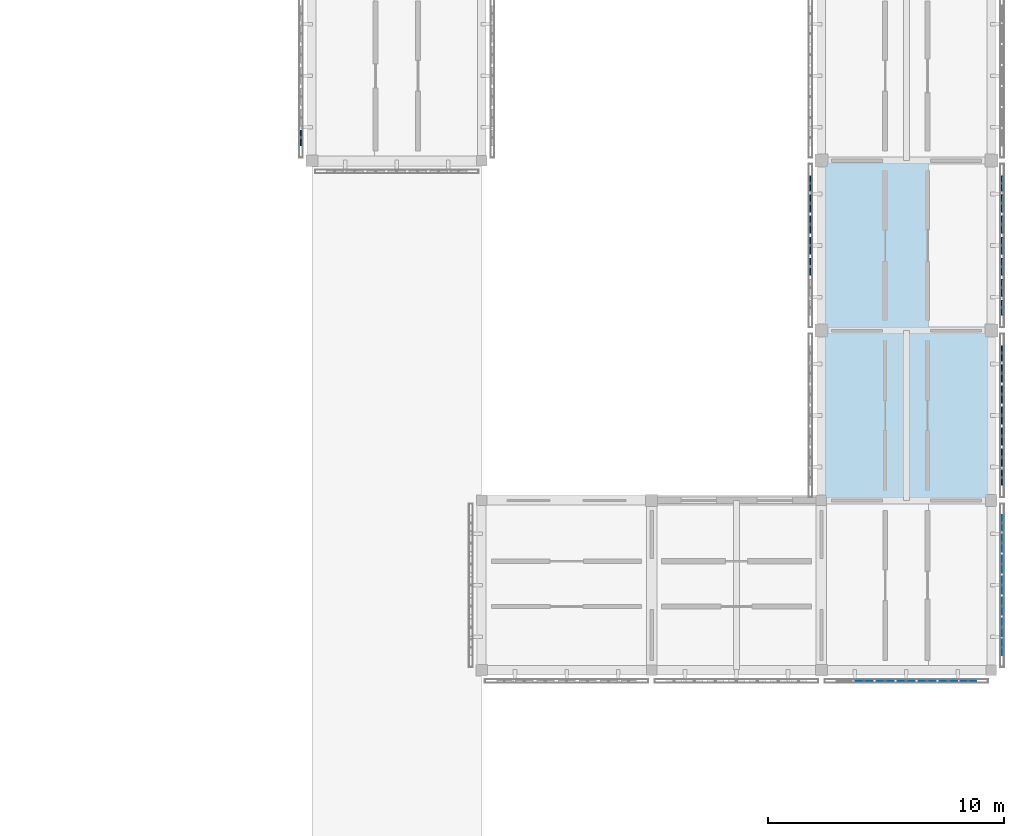
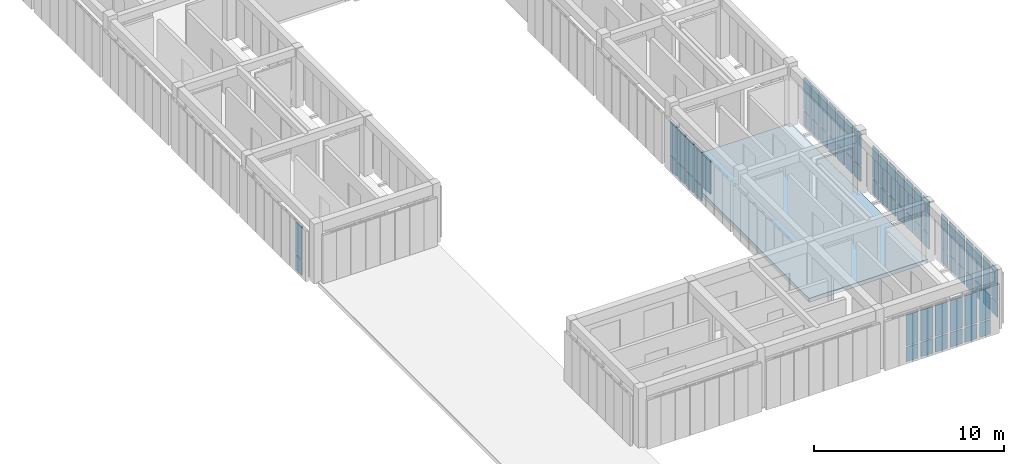
# One storey, part 46 of 67: 65 plates, 1 slab, 6 elements without a shape of their own.
"""IFC4 building model written with IfcOpenShell, lengths in metres."""

from ifc_helpers import new_model, si_unit, direction, frame, origin, origin_2d, place, context, subcontext, project, spatial, polyline, rectangle, outline, extrude, material, layer, layer_set, type_object, element, aggregate, save


model = new_model("IFC4")

# Units and contexts
model_context = context("Model", 3, precision=1e-05, world=origin(), true_north=direction((0.0, 1.0)))
body_context = subcontext(model_context, "Body", "Model", "MODEL_VIEW")
ifc_project = project(units=[si_unit("LENGTHUNIT", "METRE"), si_unit("AREAUNIT", "SQUARE_METRE"), si_unit("VOLUMEUNIT", "CUBIC_METRE"), si_unit("PLANEANGLEUNIT", "RADIAN"), si_unit("MASSUNIT", "GRAM", prefix="KILO")], contexts=[model_context])

# Site, building, storey
site_placement = place(None, origin())
site = spatial("IfcSite", under=ifc_project, at=site_placement, CompositionType="ELEMENT")
building_placement = place(site_placement, origin())
building = spatial("IfcBuilding", under=site, at=building_placement, Name="Aldebral Square Health Centre", CompositionType="ELEMENT")
storey_placement = place(building_placement, frame((0.0, 0.0, 13.5)))
storey = spatial("IfcBuildingStorey", under=building, at=storey_placement, Name="L03", CompositionType="ELEMENT", Elevation=13.5)

# Curtain wall, plates
ifc_material_1 = material(Name="Aluminium and low-E solar glass", Category="aluminium")
curtain_wall_type = type_object("IfcCurtainWallType", Name="CW-FIN-SYS", PredefinedType="USERDEFINED", material=ifc_material_1)
curtain_wall_1_placement = place(storey_placement, origin())
curtain_wall_1 = element("IfcCurtainWall", 1, at=curtain_wall_1_placement, inside=storey, type_object=curtain_wall_type, Name="L03 V5 finned curtain wall L03-V5-22-08-S", ObjectType="SOLAR_CURTAIN_WALL", PredefinedType="USERDEFINED")
ifc_material_2 = material(Name="Solar-control low-E double glass", Category="glass")
ifc_layer_1 = layer(ifc_material_2, 0.030029296875, Name="Solar-control low-E double glass", Category="glass")
ifc_layer_set_1 = layer_set([ifc_layer_1], Name="Solar-control low-E double glass")
plate_type_1 = type_object("IfcPlateType", Name="CWP-GLZ-2", PredefinedType="CURTAIN_PANEL", material=ifc_layer_set_1)
plate_1_placement = place(storey_placement, frame((160.217041015625, 57.139892578125, 0.074951171875), z_axis=(0.0, 0.0, 1.0), x_axis=(1.0, 0.0, 0.0)))
plate_1 = element("IfcPlate", 2, at=plate_1_placement, type_object=plate_type_1, Name="CW1 panel 2.1", PredefinedType="CURTAIN_PANEL", context=body_context, shape_type="SweptSolid", body=[
    extrude(rectangle(XDim=0.7314453125, YDim=0.030029296875, at=origin_2d()), origin(), (0.0, 0.0, 1.0), 0.9375),
])
plate_2_placement = place(storey_placement, frame((160.217041015625, 57.139892578125, 1.08740234375), z_axis=(0.0, 0.0, 1.0), x_axis=(1.0, 0.0, 0.0)))
plate_2 = element("IfcPlate", 3, at=plate_2_placement, type_object=plate_type_1, Name="CW1 panel 2.2", PredefinedType="CURTAIN_PANEL", context=body_context, shape_type="SweptSolid", body=[
    extrude(rectangle(XDim=0.7314453125, YDim=0.030029296875, at=origin_2d()), origin(), (0.0, 0.0, 1.0), 1.9775390625),
])
plate_3_placement = place(storey_placement, frame((161.108642578125, 57.139892578125, 0.074951171875), z_axis=(0.0, 0.0, 1.0), x_axis=(1.0, 0.0, 0.0)))
plate_3 = element("IfcPlate", 4, at=plate_3_placement, type_object=plate_type_1, Name="CW1 panel 3.1", PredefinedType="CURTAIN_PANEL", context=body_context, shape_type="SweptSolid", body=[
    extrude(rectangle(XDim=0.7314453125, YDim=0.030029296875, at=origin_2d()), origin(), (0.0, 0.0, 1.0), 0.9375),
])
plate_4_placement = place(storey_placement, frame((161.108642578125, 57.139892578125, 1.08740234375), z_axis=(0.0, 0.0, 1.0), x_axis=(1.0, 0.0, 0.0)))
plate_4 = element("IfcPlate", 5, at=plate_4_placement, type_object=plate_type_1, Name="CW1 panel 3.2", PredefinedType="CURTAIN_PANEL", context=body_context, shape_type="SweptSolid", body=[
    extrude(rectangle(XDim=0.7314453125, YDim=0.030029296875, at=origin_2d()), origin(), (0.0, 0.0, 1.0), 1.9775390625),
])
plate_5_placement = place(storey_placement, frame((162.0, 57.139892578125, 0.074951171875), z_axis=(0.0, 0.0, 1.0), x_axis=(1.0, 0.0, 0.0)))
plate_5 = element("IfcPlate", 6, at=plate_5_placement, type_object=plate_type_1, Name="CW1 panel 4.1", PredefinedType="CURTAIN_PANEL", context=body_context, shape_type="SweptSolid", body=[
    extrude(rectangle(XDim=0.7314453125, YDim=0.030029296875, at=origin_2d()), origin(), (0.0, 0.0, 1.0), 0.9375),
])
plate_6_placement = place(storey_placement, frame((162.0, 57.139892578125, 1.08740234375), z_axis=(0.0, 0.0, 1.0), x_axis=(1.0, 0.0, 0.0)))
plate_6 = element("IfcPlate", 7, at=plate_6_placement, type_object=plate_type_1, Name="CW1 panel 4.2", PredefinedType="CURTAIN_PANEL", context=body_context, shape_type="SweptSolid", body=[
    extrude(rectangle(XDim=0.7314453125, YDim=0.030029296875, at=origin_2d()), origin(), (0.0, 0.0, 1.0), 1.9775390625),
])
plate_7_placement = place(storey_placement, frame((162.891357421875, 57.139892578125, 0.074951171875), z_axis=(0.0, 0.0, 1.0), x_axis=(1.0, 0.0, 0.0)))
plate_7 = element("IfcPlate", 8, at=plate_7_placement, type_object=plate_type_1, Name="CW1 panel 5.1", PredefinedType="CURTAIN_PANEL", context=body_context, shape_type="SweptSolid", body=[
    extrude(rectangle(XDim=0.7314453125, YDim=0.030029296875, at=origin_2d()), origin(), (0.0, 0.0, 1.0), 0.9375),
])
plate_8_placement = place(storey_placement, frame((162.891357421875, 57.139892578125, 1.08740234375), z_axis=(0.0, 0.0, 1.0), x_axis=(1.0, 0.0, 0.0)))
plate_8 = element("IfcPlate", 9, at=plate_8_placement, type_object=plate_type_1, Name="CW1 panel 5.2", PredefinedType="CURTAIN_PANEL", context=body_context, shape_type="SweptSolid", body=[
    extrude(rectangle(XDim=0.7314453125, YDim=0.030029296875, at=origin_2d()), origin(), (0.0, 0.0, 1.0), 1.9775390625),
])
plate_9_placement = place(storey_placement, frame((163.782958984375, 57.139892578125, 0.074951171875), z_axis=(0.0, 0.0, 1.0), x_axis=(1.0, 0.0, 0.0)))
plate_9 = element("IfcPlate", 10, at=plate_9_placement, type_object=plate_type_1, Name="CW1 panel 6.1", PredefinedType="CURTAIN_PANEL", context=body_context, shape_type="SweptSolid", body=[
    extrude(rectangle(XDim=0.7314453125, YDim=0.030029296875, at=origin_2d()), origin(), (0.0, 0.0, 1.0), 0.9375),
])
plate_10_placement = place(storey_placement, frame((163.782958984375, 57.139892578125, 1.08740234375), z_axis=(0.0, 0.0, 1.0), x_axis=(1.0, 0.0, 0.0)))
plate_10 = element("IfcPlate", 11, at=plate_10_placement, type_object=plate_type_1, Name="CW1 panel 6.2", PredefinedType="CURTAIN_PANEL", context=body_context, shape_type="SweptSolid", body=[
    extrude(rectangle(XDim=0.7314453125, YDim=0.030029296875, at=origin_2d()), origin(), (0.0, 0.0, 1.0), 1.9775390625),
])
plate_11_placement = place(storey_placement, frame((164.63427734375, 57.139892578125, 0.074951171875), z_axis=(0.0, 0.0, 1.0), x_axis=(1.0, 0.0, 0.0)))
plate_11 = element("IfcPlate", 12, at=plate_11_placement, type_object=plate_type_1, Name="CW1 panel 7.1", PredefinedType="CURTAIN_PANEL", context=body_context, shape_type="SweptSolid", body=[
    extrude(rectangle(XDim=0.6513671875, YDim=0.030029296875, at=origin_2d()), origin(), (0.0, 0.0, 1.0), 0.9375),
])
plate_12_placement = place(storey_placement, frame((164.63427734375, 57.139892578125, 1.08740234375), z_axis=(0.0, 0.0, 1.0), x_axis=(1.0, 0.0, 0.0)))
plate_12 = element("IfcPlate", 13, at=plate_12_placement, type_object=plate_type_1, Name="CW1 panel 7.2", PredefinedType="CURTAIN_PANEL", context=body_context, shape_type="SweptSolid", body=[
    extrude(rectangle(XDim=0.6513671875, YDim=0.030029296875, at=origin_2d()), origin(), (0.0, 0.0, 1.0), 1.9775390625),
])
aggregate(curtain_wall_1, [plate_1, plate_2, plate_3, plate_4, plate_5, plate_6, plate_7, plate_8, plate_9, plate_10, plate_11, plate_12])

curtain_wall_2_placement = place(storey_placement, origin())
curtain_wall_2 = element("IfcCurtainWall", 14, at=curtain_wall_2_placement, inside=storey, type_object=curtain_wall_type, Name="L03 V5 finned curtain wall L03-V5-22-08-E", ObjectType="SOLAR_CURTAIN_WALL", PredefinedType="USERDEFINED")
ifc_layer_2 = layer(ifc_material_2, 0.0400390625, Name="Solar-control low-E double glass", Category="glass")
ifc_layer_set_2 = layer_set([ifc_layer_2], Name="Solar-control low-E double glass")
plate_type_2 = type_object("IfcPlateType", Name="CWP-GLZ-3", PredefinedType="CURTAIN_PANEL", material=ifc_layer_set_2)
plate_13_placement = place(storey_placement, frame((166.06005859375, 58.565673828125, 0.074951171875), z_axis=(0.0, 0.0, 1.0), x_axis=(0.0, 1.0, 0.0)))
plate_13 = element("IfcPlate", 15, at=plate_13_placement, type_object=plate_type_2, Name="CW1 panel 1.1", PredefinedType="CURTAIN_PANEL", context=body_context, shape_type="SweptSolid", body=[
    extrude(rectangle(XDim=0.6513671875, YDim=0.0400390625, at=origin_2d()), origin(), (0.0, 0.0, 1.0), 0.9375),
])
plate_14_placement = place(storey_placement, frame((166.06005859375, 58.565673828125, 1.08740234375), z_axis=(0.0, 0.0, 1.0), x_axis=(0.0, 1.0, 0.0)))
plate_14 = element("IfcPlate", 16, at=plate_14_placement, type_object=plate_type_2, Name="CW1 panel 1.2", PredefinedType="CURTAIN_PANEL", context=body_context, shape_type="SweptSolid", body=[
    extrude(rectangle(XDim=0.6513671875, YDim=0.0400390625, at=origin_2d()), origin(), (0.0, 0.0, 1.0), 2.077392578125),
])
plate_15_placement = place(storey_placement, frame((166.06005859375, 59.417236328125, 0.074951171875), z_axis=(0.0, 0.0, 1.0), x_axis=(0.0, 1.0, 0.0)))
plate_15 = element("IfcPlate", 17, at=plate_15_placement, type_object=plate_type_2, Name="CW1 panel 2.1", PredefinedType="CURTAIN_PANEL", context=body_context, shape_type="SweptSolid", body=[
    extrude(rectangle(XDim=0.7314453125, YDim=0.0400390625, at=origin_2d()), origin(), (0.0, 0.0, 1.0), 0.9375),
])
plate_16_placement = place(storey_placement, frame((166.06005859375, 59.417236328125, 1.08740234375), z_axis=(0.0, 0.0, 1.0), x_axis=(0.0, 1.0, 0.0)))
plate_16 = element("IfcPlate", 18, at=plate_16_placement, type_object=plate_type_2, Name="CW1 panel 2.2", PredefinedType="CURTAIN_PANEL", context=body_context, shape_type="SweptSolid", body=[
    extrude(rectangle(XDim=0.7314453125, YDim=0.0400390625, at=origin_2d()), origin(), (0.0, 0.0, 1.0), 2.077392578125),
])
plate_17_placement = place(storey_placement, frame((166.06005859375, 60.30859375, 0.074951171875), z_axis=(0.0, 0.0, 1.0), x_axis=(0.0, 1.0, 0.0)))
plate_17 = element("IfcPlate", 19, at=plate_17_placement, type_object=plate_type_2, Name="CW1 panel 3.1", PredefinedType="CURTAIN_PANEL", context=body_context, shape_type="SweptSolid", body=[
    extrude(rectangle(XDim=0.7314453125, YDim=0.0400390625, at=origin_2d()), origin(), (0.0, 0.0, 1.0), 0.9375),
])
plate_18_placement = place(storey_placement, frame((166.06005859375, 60.30859375, 1.08740234375), z_axis=(0.0, 0.0, 1.0), x_axis=(0.0, 1.0, 0.0)))
plate_18 = element("IfcPlate", 20, at=plate_18_placement, type_object=plate_type_2, Name="CW1 panel 3.2", PredefinedType="CURTAIN_PANEL", context=body_context, shape_type="SweptSolid", body=[
    extrude(rectangle(XDim=0.7314453125, YDim=0.0400390625, at=origin_2d()), origin(), (0.0, 0.0, 1.0), 2.077392578125),
])
plate_19_placement = place(storey_placement, frame((166.06005859375, 61.199951171875, 0.074951171875), z_axis=(0.0, 0.0, 1.0), x_axis=(0.0, 1.0, 0.0)))
plate_19 = element("IfcPlate", 21, at=plate_19_placement, type_object=plate_type_2, Name="CW1 panel 4.1", PredefinedType="CURTAIN_PANEL", context=body_context, shape_type="SweptSolid", body=[
    extrude(rectangle(XDim=0.7314453125, YDim=0.0400390625, at=origin_2d()), origin(), (0.0, 0.0, 1.0), 0.9375),
])
plate_20_placement = place(storey_placement, frame((166.06005859375, 61.199951171875, 1.08740234375), z_axis=(0.0, 0.0, 1.0), x_axis=(0.0, 1.0, 0.0)))
plate_20 = element("IfcPlate", 22, at=plate_20_placement, type_object=plate_type_2, Name="CW1 panel 4.2", PredefinedType="CURTAIN_PANEL", context=body_context, shape_type="SweptSolid", body=[
    extrude(rectangle(XDim=0.7314453125, YDim=0.0400390625, at=origin_2d()), origin(), (0.0, 0.0, 1.0), 2.077392578125),
])
plate_21_placement = place(storey_placement, frame((166.06005859375, 62.09130859375, 0.074951171875), z_axis=(0.0, 0.0, 1.0), x_axis=(0.0, 1.0, 0.0)))
plate_21 = element("IfcPlate", 23, at=plate_21_placement, type_object=plate_type_2, Name="CW1 panel 5.1", PredefinedType="CURTAIN_PANEL", context=body_context, shape_type="SweptSolid", body=[
    extrude(rectangle(XDim=0.7314453125, YDim=0.0400390625, at=origin_2d()), origin(), (0.0, 0.0, 1.0), 0.9375),
])
plate_22_placement = place(storey_placement, frame((166.06005859375, 62.09130859375, 1.08740234375), z_axis=(0.0, 0.0, 1.0), x_axis=(0.0, 1.0, 0.0)))
plate_22 = element("IfcPlate", 24, at=plate_22_placement, type_object=plate_type_2, Name="CW1 panel 5.2", PredefinedType="CURTAIN_PANEL", context=body_context, shape_type="SweptSolid", body=[
    extrude(rectangle(XDim=0.7314453125, YDim=0.0400390625, at=origin_2d()), origin(), (0.0, 0.0, 1.0), 2.077392578125),
])
plate_23_placement = place(storey_placement, frame((166.06005859375, 62.98291015625, 0.074951171875), z_axis=(0.0, 0.0, 1.0), x_axis=(0.0, 1.0, 0.0)))
plate_23 = element("IfcPlate", 25, at=plate_23_placement, type_object=plate_type_2, Name="CW1 panel 6.1", PredefinedType="CURTAIN_PANEL", context=body_context, shape_type="SweptSolid", body=[
    extrude(rectangle(XDim=0.7314453125, YDim=0.0400390625, at=origin_2d()), origin(), (0.0, 0.0, 1.0), 0.9375),
])
plate_24_placement = place(storey_placement, frame((166.06005859375, 62.98291015625, 1.08740234375), z_axis=(0.0, 0.0, 1.0), x_axis=(0.0, 1.0, 0.0)))
plate_24 = element("IfcPlate", 26, at=plate_24_placement, type_object=plate_type_2, Name="CW1 panel 6.2", PredefinedType="CURTAIN_PANEL", context=body_context, shape_type="SweptSolid", body=[
    extrude(rectangle(XDim=0.7314453125, YDim=0.0400390625, at=origin_2d()), origin(), (0.0, 0.0, 1.0), 2.077392578125),
])
plate_25_placement = place(storey_placement, frame((166.06005859375, 63.834228515625, 0.074951171875), z_axis=(0.0, 0.0, 1.0), x_axis=(0.0, 1.0, 0.0)))
plate_25 = element("IfcPlate", 27, at=plate_25_placement, type_object=plate_type_2, Name="CW1 panel 7.1", PredefinedType="CURTAIN_PANEL", context=body_context, shape_type="SweptSolid", body=[
    extrude(rectangle(XDim=0.6513671875, YDim=0.0400390625, at=origin_2d()), origin(), (0.0, 0.0, 1.0), 0.9375),
])
plate_26_placement = place(storey_placement, frame((166.06005859375, 63.834228515625, 1.08740234375), z_axis=(0.0, 0.0, 1.0), x_axis=(0.0, 1.0, 0.0)))
plate_26 = element("IfcPlate", 28, at=plate_26_placement, type_object=plate_type_2, Name="CW1 panel 7.2", PredefinedType="CURTAIN_PANEL", context=body_context, shape_type="SweptSolid", body=[
    extrude(rectangle(XDim=0.6513671875, YDim=0.0400390625, at=origin_2d()), origin(), (0.0, 0.0, 1.0), 2.077392578125),
])
aggregate(curtain_wall_2, [plate_13, plate_14, plate_15, plate_16, plate_17, plate_18, plate_19, plate_20, plate_21, plate_22, plate_23, plate_24, plate_25, plate_26])

curtain_wall_3_placement = place(storey_placement, origin())
curtain_wall_3 = element("IfcCurtainWall", 29, at=curtain_wall_3_placement, inside=storey, type_object=curtain_wall_type, Name="L03 V5 finned curtain wall L03-V5-22-09-E", ObjectType="SOLAR_CURTAIN_WALL", PredefinedType="USERDEFINED")
ifc_layer_3 = layer(ifc_material_2, 0.06005859375, Name="Solar-control low-E double glass", Category="glass")
ifc_layer_set_3 = layer_set([ifc_layer_3], Name="Solar-control low-E double glass")
plate_type_3 = type_object("IfcPlateType", Name="CWP-GLZ-5", PredefinedType="CURTAIN_PANEL", material=ifc_layer_set_3)
plate_27_placement = place(storey_placement, frame((166.06005859375, 65.765625, 0.074951171875), z_axis=(0.0, 0.0, 1.0), x_axis=(0.0, 1.0, 0.0)))
plate_27 = element("IfcPlate", 30, at=plate_27_placement, type_object=plate_type_3, Name="CW1 panel 1.1", PredefinedType="CURTAIN_PANEL", context=body_context, shape_type="SweptSolid", body=[
    extrude(rectangle(XDim=0.6513671875, YDim=0.06005859375, at=origin_2d()), origin(), (0.0, 0.0, 1.0), 0.9375),
])
plate_28_placement = place(storey_placement, frame((166.06005859375, 65.765625, 1.08740234375), z_axis=(0.0, 0.0, 1.0), x_axis=(0.0, 1.0, 0.0)))
plate_28 = element("IfcPlate", 31, at=plate_28_placement, type_object=plate_type_3, Name="CW1 panel 1.2", PredefinedType="CURTAIN_PANEL", context=body_context, shape_type="SweptSolid", body=[
    extrude(rectangle(XDim=0.6513671875, YDim=0.06005859375, at=origin_2d()), origin(), (0.0, 0.0, 1.0), 2.077392578125),
])
plate_29_placement = place(storey_placement, frame((166.06005859375, 66.6171875, 0.074951171875), z_axis=(0.0, 0.0, 1.0), x_axis=(0.0, 1.0, 0.0)))
plate_29 = element("IfcPlate", 32, at=plate_29_placement, type_object=plate_type_3, Name="CW1 panel 2.1", PredefinedType="CURTAIN_PANEL", context=body_context, shape_type="SweptSolid", body=[
    extrude(rectangle(XDim=0.7314453125, YDim=0.06005859375, at=origin_2d()), origin(), (0.0, 0.0, 1.0), 0.9375),
])
plate_30_placement = place(storey_placement, frame((166.06005859375, 66.6171875, 1.08740234375), z_axis=(0.0, 0.0, 1.0), x_axis=(0.0, 1.0, 0.0)))
plate_30 = element("IfcPlate", 33, at=plate_30_placement, type_object=plate_type_3, Name="CW1 panel 2.2", PredefinedType="CURTAIN_PANEL", context=body_context, shape_type="SweptSolid", body=[
    extrude(rectangle(XDim=0.7314453125, YDim=0.06005859375, at=origin_2d()), origin(), (0.0, 0.0, 1.0), 2.077392578125),
])
plate_31_placement = place(storey_placement, frame((166.06005859375, 67.508544921875, 0.074951171875), z_axis=(0.0, 0.0, 1.0), x_axis=(0.0, 1.0, 0.0)))
plate_31 = element("IfcPlate", 34, at=plate_31_placement, type_object=plate_type_3, Name="CW1 panel 3.1", PredefinedType="CURTAIN_PANEL", context=body_context, shape_type="SweptSolid", body=[
    extrude(rectangle(XDim=0.7314453125, YDim=0.06005859375, at=origin_2d()), origin(), (0.0, 0.0, 1.0), 0.9375),
])
plate_32_placement = place(storey_placement, frame((166.06005859375, 67.508544921875, 1.08740234375), z_axis=(0.0, 0.0, 1.0), x_axis=(0.0, 1.0, 0.0)))
plate_32 = element("IfcPlate", 35, at=plate_32_placement, type_object=plate_type_3, Name="CW1 panel 3.2", PredefinedType="CURTAIN_PANEL", context=body_context, shape_type="SweptSolid", body=[
    extrude(rectangle(XDim=0.7314453125, YDim=0.06005859375, at=origin_2d()), origin(), (0.0, 0.0, 1.0), 2.077392578125),
])
plate_33_placement = place(storey_placement, frame((166.06005859375, 68.39990234375, 0.074951171875), z_axis=(0.0, 0.0, 1.0), x_axis=(0.0, 1.0, 0.0)))
plate_33 = element("IfcPlate", 36, at=plate_33_placement, type_object=plate_type_3, Name="CW1 panel 4.1", PredefinedType="CURTAIN_PANEL", context=body_context, shape_type="SweptSolid", body=[
    extrude(rectangle(XDim=0.7314453125, YDim=0.06005859375, at=origin_2d()), origin(), (0.0, 0.0, 1.0), 0.9375),
])
plate_34_placement = place(storey_placement, frame((166.06005859375, 68.39990234375, 1.08740234375), z_axis=(0.0, 0.0, 1.0), x_axis=(0.0, 1.0, 0.0)))
plate_34 = element("IfcPlate", 37, at=plate_34_placement, type_object=plate_type_3, Name="CW1 panel 4.2", PredefinedType="CURTAIN_PANEL", context=body_context, shape_type="SweptSolid", body=[
    extrude(rectangle(XDim=0.7314453125, YDim=0.06005859375, at=origin_2d()), origin(), (0.0, 0.0, 1.0), 2.077392578125),
])
plate_35_placement = place(storey_placement, frame((166.06005859375, 69.29150390625, 0.074951171875), z_axis=(0.0, 0.0, 1.0), x_axis=(0.0, 1.0, 0.0)))
plate_35 = element("IfcPlate", 38, at=plate_35_placement, type_object=plate_type_3, Name="CW1 panel 5.1", PredefinedType="CURTAIN_PANEL", context=body_context, shape_type="SweptSolid", body=[
    extrude(rectangle(XDim=0.7314453125, YDim=0.06005859375, at=origin_2d()), origin(), (0.0, 0.0, 1.0), 0.9375),
])
plate_36_placement = place(storey_placement, frame((166.06005859375, 69.29150390625, 1.08740234375), z_axis=(0.0, 0.0, 1.0), x_axis=(0.0, 1.0, 0.0)))
plate_36 = element("IfcPlate", 39, at=plate_36_placement, type_object=plate_type_3, Name="CW1 panel 5.2", PredefinedType="CURTAIN_PANEL", context=body_context, shape_type="SweptSolid", body=[
    extrude(rectangle(XDim=0.7314453125, YDim=0.06005859375, at=origin_2d()), origin(), (0.0, 0.0, 1.0), 2.077392578125),
])
plate_37_placement = place(storey_placement, frame((166.06005859375, 70.182861328125, 0.074951171875), z_axis=(0.0, 0.0, 1.0), x_axis=(0.0, 1.0, 0.0)))
plate_37 = element("IfcPlate", 40, at=plate_37_placement, type_object=plate_type_3, Name="CW1 panel 6.1", PredefinedType="CURTAIN_PANEL", context=body_context, shape_type="SweptSolid", body=[
    extrude(rectangle(XDim=0.7314453125, YDim=0.06005859375, at=origin_2d()), origin(), (0.0, 0.0, 1.0), 0.9375),
])
plate_38_placement = place(storey_placement, frame((166.06005859375, 70.182861328125, 1.08740234375), z_axis=(0.0, 0.0, 1.0), x_axis=(0.0, 1.0, 0.0)))
plate_38 = element("IfcPlate", 41, at=plate_38_placement, type_object=plate_type_3, Name="CW1 panel 6.2", PredefinedType="CURTAIN_PANEL", context=body_context, shape_type="SweptSolid", body=[
    extrude(rectangle(XDim=0.7314453125, YDim=0.06005859375, at=origin_2d()), origin(), (0.0, 0.0, 1.0), 2.077392578125),
])
plate_39_placement = place(storey_placement, frame((166.06005859375, 71.0341796875, 0.074951171875), z_axis=(0.0, 0.0, 1.0), x_axis=(0.0, 1.0, 0.0)))
plate_39 = element("IfcPlate", 42, at=plate_39_placement, type_object=plate_type_3, Name="CW1 panel 7.1", PredefinedType="CURTAIN_PANEL", context=body_context, shape_type="SweptSolid", body=[
    extrude(rectangle(XDim=0.6513671875, YDim=0.06005859375, at=origin_2d()), origin(), (0.0, 0.0, 1.0), 0.9375),
])
plate_40_placement = place(storey_placement, frame((166.06005859375, 71.0341796875, 1.08740234375), z_axis=(0.0, 0.0, 1.0), x_axis=(0.0, 1.0, 0.0)))
plate_40 = element("IfcPlate", 43, at=plate_40_placement, type_object=plate_type_3, Name="CW1 panel 7.2", PredefinedType="CURTAIN_PANEL", context=body_context, shape_type="SweptSolid", body=[
    extrude(rectangle(XDim=0.6513671875, YDim=0.06005859375, at=origin_2d()), origin(), (0.0, 0.0, 1.0), 2.077392578125),
])
aggregate(curtain_wall_3, [plate_27, plate_28, plate_29, plate_30, plate_31, plate_32, plate_33, plate_34, plate_35, plate_36, plate_37, plate_38, plate_39, plate_40])

curtain_wall_4_placement = place(storey_placement, origin())
curtain_wall_4 = element("IfcCurtainWall", 44, at=curtain_wall_4_placement, inside=storey, type_object=curtain_wall_type, Name="L03 V5 finned curtain wall L03-V5-19-11-W", ObjectType="SOLAR_CURTAIN_WALL", PredefinedType="USERDEFINED")
ifc_layer_4 = layer(ifc_material_2, 0.070068359375, Name="Solar-control low-E double glass", Category="glass")
ifc_layer_set_4 = layer_set([ifc_layer_4], Name="Solar-control low-E double glass")
plate_type_4 = type_object("IfcPlateType", Name="CWP-GLZ-6", PredefinedType="CURTAIN_PANEL", material=ifc_layer_set_4)
plate_41_placement = place(storey_placement, frame((136.340087890625, 80.165771484375, 0.074951171875), z_axis=(0.0, 0.0, 1.0), x_axis=(0.0, -1.0, 0.0)))
plate_41 = element("IfcPlate", 45, at=plate_41_placement, type_object=plate_type_4, Name="CW1 panel 7.1", PredefinedType="CURTAIN_PANEL", context=body_context, shape_type="SweptSolid", body=[
    extrude(rectangle(XDim=0.6513671875, YDim=0.070068359375, at=origin_2d()), origin(), (0.0, 0.0, 1.0), 0.9375),
])
plate_42_placement = place(storey_placement, frame((136.340087890625, 80.165771484375, 1.08740234375), z_axis=(0.0, 0.0, 1.0), x_axis=(0.0, -1.0, 0.0)))
plate_42 = element("IfcPlate", 46, at=plate_42_placement, type_object=plate_type_4, Name="CW1 panel 7.2", PredefinedType="CURTAIN_PANEL", context=body_context, shape_type="SweptSolid", body=[
    extrude(rectangle(XDim=0.6513671875, YDim=0.070068359375, at=origin_2d()), origin(), (0.0, 0.0, 1.0), 2.077392578125),
])
aggregate(curtain_wall_4, [plate_41, plate_42])

curtain_wall_5_placement = place(storey_placement, origin())
curtain_wall_5 = element("IfcCurtainWall", 47, at=curtain_wall_5_placement, inside=storey, type_object=curtain_wall_type, Name="L03 V5 finned curtain wall L03-V5-22-10-W", ObjectType="SOLAR_CURTAIN_WALL", PredefinedType="USERDEFINED")
plate_43_placement = place(storey_placement, frame((157.93994140625, 78.234375, 0.074951171875), z_axis=(0.0, 0.0, 1.0), x_axis=(0.0, -1.0, 0.0)))
plate_43 = element("IfcPlate", 48, at=plate_43_placement, type_object=plate_type_4, Name="CW1 panel 1.1", PredefinedType="CURTAIN_PANEL", context=body_context, shape_type="SweptSolid", body=[
    extrude(rectangle(XDim=0.6513671875, YDim=0.070068359375, at=origin_2d()), origin(), (0.0, 0.0, 1.0), 0.9375),
])
plate_44_placement = place(storey_placement, frame((157.93994140625, 78.234375, 1.08740234375), z_axis=(0.0, 0.0, 1.0), x_axis=(0.0, -1.0, 0.0)))
plate_44 = element("IfcPlate", 49, at=plate_44_placement, type_object=plate_type_4, Name="CW1 panel 1.2", PredefinedType="CURTAIN_PANEL", context=body_context, shape_type="SweptSolid", body=[
    extrude(rectangle(XDim=0.6513671875, YDim=0.070068359375, at=origin_2d()), origin(), (0.0, 0.0, 1.0), 2.077392578125),
])
plate_45_placement = place(storey_placement, frame((157.93994140625, 77.3828125, 0.074951171875), z_axis=(0.0, 0.0, 1.0), x_axis=(0.0, -1.0, 0.0)))
plate_45 = element("IfcPlate", 50, at=plate_45_placement, type_object=plate_type_4, Name="CW1 panel 2.1", PredefinedType="CURTAIN_PANEL", context=body_context, shape_type="SweptSolid", body=[
    extrude(rectangle(XDim=0.7314453125, YDim=0.070068359375, at=origin_2d()), origin(), (0.0, 0.0, 1.0), 0.9375),
])
plate_46_placement = place(storey_placement, frame((157.93994140625, 77.3828125, 1.08740234375), z_axis=(0.0, 0.0, 1.0), x_axis=(0.0, -1.0, 0.0)))
plate_46 = element("IfcPlate", 51, at=plate_46_placement, type_object=plate_type_4, Name="CW1 panel 2.2", PredefinedType="CURTAIN_PANEL", context=body_context, shape_type="SweptSolid", body=[
    extrude(rectangle(XDim=0.7314453125, YDim=0.070068359375, at=origin_2d()), origin(), (0.0, 0.0, 1.0), 2.077392578125),
])
plate_47_placement = place(storey_placement, frame((157.93994140625, 76.491455078125, 0.074951171875), z_axis=(0.0, 0.0, 1.0), x_axis=(0.0, -1.0, 0.0)))
plate_47 = element("IfcPlate", 52, at=plate_47_placement, type_object=plate_type_4, Name="CW1 panel 3.1", PredefinedType="CURTAIN_PANEL", context=body_context, shape_type="SweptSolid", body=[
    extrude(rectangle(XDim=0.7314453125, YDim=0.070068359375, at=origin_2d()), origin(), (0.0, 0.0, 1.0), 0.9375),
])
plate_48_placement = place(storey_placement, frame((157.93994140625, 76.491455078125, 1.08740234375), z_axis=(0.0, 0.0, 1.0), x_axis=(0.0, -1.0, 0.0)))
plate_48 = element("IfcPlate", 53, at=plate_48_placement, type_object=plate_type_4, Name="CW1 panel 3.2", PredefinedType="CURTAIN_PANEL", context=body_context, shape_type="SweptSolid", body=[
    extrude(rectangle(XDim=0.7314453125, YDim=0.070068359375, at=origin_2d()), origin(), (0.0, 0.0, 1.0), 2.077392578125),
])
plate_49_placement = place(storey_placement, frame((157.93994140625, 75.60009765625, 0.074951171875), z_axis=(0.0, 0.0, 1.0), x_axis=(0.0, -1.0, 0.0)))
plate_49 = element("IfcPlate", 54, at=plate_49_placement, type_object=plate_type_4, Name="CW1 panel 4.1", PredefinedType="CURTAIN_PANEL", context=body_context, shape_type="SweptSolid", body=[
    extrude(rectangle(XDim=0.7314453125, YDim=0.070068359375, at=origin_2d()), origin(), (0.0, 0.0, 1.0), 0.9375),
])
plate_50_placement = place(storey_placement, frame((157.93994140625, 75.60009765625, 1.08740234375), z_axis=(0.0, 0.0, 1.0), x_axis=(0.0, -1.0, 0.0)))
plate_50 = element("IfcPlate", 55, at=plate_50_placement, type_object=plate_type_4, Name="CW1 panel 4.2", PredefinedType="CURTAIN_PANEL", context=body_context, shape_type="SweptSolid", body=[
    extrude(rectangle(XDim=0.7314453125, YDim=0.070068359375, at=origin_2d()), origin(), (0.0, 0.0, 1.0), 2.077392578125),
])
plate_51_placement = place(storey_placement, frame((157.93994140625, 74.70849609375, 1.08740234375), z_axis=(0.0, 0.0, 1.0), x_axis=(0.0, -1.0, 0.0)))
plate_51 = element("IfcPlate", 56, at=plate_51_placement, type_object=plate_type_4, Name="CW1 panel 5.2", PredefinedType="CURTAIN_PANEL", context=body_context, shape_type="SweptSolid", body=[
    extrude(rectangle(XDim=0.7314453125, YDim=0.070068359375, at=origin_2d()), origin(), (0.0, 0.0, 1.0), 2.077392578125),
])
aggregate(curtain_wall_5, [plate_43, plate_44, plate_45, plate_46, plate_47, plate_48, plate_49, plate_50, plate_51])

curtain_wall_6_placement = place(storey_placement, origin())
curtain_wall_6 = element("IfcCurtainWall", 57, at=curtain_wall_6_placement, inside=storey, type_object=curtain_wall_type, Name="L03 V5 finned curtain wall L03-V5-22-10-E", ObjectType="SOLAR_CURTAIN_WALL", PredefinedType="USERDEFINED")
ifc_layer_5 = layer(ifc_material_2, 0.080078125, Name="Solar-control low-E double glass", Category="glass")
ifc_layer_set_5 = layer_set([ifc_layer_5], Name="Solar-control low-E double glass")
plate_type_5 = type_object("IfcPlateType", Name="CWP-GLZ-7", PredefinedType="CURTAIN_PANEL", material=ifc_layer_set_5)
plate_52_placement = place(storey_placement, frame((166.06005859375, 72.9658203125, 0.074951171875), z_axis=(0.0, 0.0, 1.0), x_axis=(0.0, 1.0, 0.0)))
plate_52 = element("IfcPlate", 58, at=plate_52_placement, type_object=plate_type_5, Name="CW1 panel 1.1", PredefinedType="CURTAIN_PANEL", context=body_context, shape_type="SweptSolid", body=[
    extrude(rectangle(XDim=0.6513671875, YDim=0.080078125, at=origin_2d()), origin(), (0.0, 0.0, 1.0), 0.9375),
])
plate_53_placement = place(storey_placement, frame((166.06005859375, 72.9658203125, 1.08740234375), z_axis=(0.0, 0.0, 1.0), x_axis=(0.0, 1.0, 0.0)))
plate_53 = element("IfcPlate", 59, at=plate_53_placement, type_object=plate_type_5, Name="CW1 panel 1.2", PredefinedType="CURTAIN_PANEL", context=body_context, shape_type="SweptSolid", body=[
    extrude(rectangle(XDim=0.6513671875, YDim=0.080078125, at=origin_2d()), origin(), (0.0, 0.0, 1.0), 2.077392578125),
])
plate_54_placement = place(storey_placement, frame((166.06005859375, 73.817138671875, 0.074951171875), z_axis=(0.0, 0.0, 1.0), x_axis=(0.0, 1.0, 0.0)))
plate_54 = element("IfcPlate", 60, at=plate_54_placement, type_object=plate_type_5, Name="CW1 panel 2.1", PredefinedType="CURTAIN_PANEL", context=body_context, shape_type="SweptSolid", body=[
    extrude(rectangle(XDim=0.7314453125, YDim=0.080078125, at=origin_2d()), origin(), (0.0, 0.0, 1.0), 0.9375),
])
plate_55_placement = place(storey_placement, frame((166.06005859375, 73.817138671875, 1.08740234375), z_axis=(0.0, 0.0, 1.0), x_axis=(0.0, 1.0, 0.0)))
plate_55 = element("IfcPlate", 61, at=plate_55_placement, type_object=plate_type_5, Name="CW1 panel 2.2", PredefinedType="CURTAIN_PANEL", context=body_context, shape_type="SweptSolid", body=[
    extrude(rectangle(XDim=0.7314453125, YDim=0.080078125, at=origin_2d()), origin(), (0.0, 0.0, 1.0), 2.077392578125),
])
plate_56_placement = place(storey_placement, frame((166.06005859375, 74.70849609375, 0.074951171875), z_axis=(0.0, 0.0, 1.0), x_axis=(0.0, 1.0, 0.0)))
plate_56 = element("IfcPlate", 62, at=plate_56_placement, type_object=plate_type_5, Name="CW1 panel 3.1", PredefinedType="CURTAIN_PANEL", context=body_context, shape_type="SweptSolid", body=[
    extrude(rectangle(XDim=0.7314453125, YDim=0.080078125, at=origin_2d()), origin(), (0.0, 0.0, 1.0), 0.9375),
])
plate_57_placement = place(storey_placement, frame((166.06005859375, 74.70849609375, 1.08740234375), z_axis=(0.0, 0.0, 1.0), x_axis=(0.0, 1.0, 0.0)))
plate_57 = element("IfcPlate", 63, at=plate_57_placement, type_object=plate_type_5, Name="CW1 panel 3.2", PredefinedType="CURTAIN_PANEL", context=body_context, shape_type="SweptSolid", body=[
    extrude(rectangle(XDim=0.7314453125, YDim=0.080078125, at=origin_2d()), origin(), (0.0, 0.0, 1.0), 2.077392578125),
])
plate_58_placement = place(storey_placement, frame((166.06005859375, 75.60009765625, 0.074951171875), z_axis=(0.0, 0.0, 1.0), x_axis=(0.0, 1.0, 0.0)))
plate_58 = element("IfcPlate", 64, at=plate_58_placement, type_object=plate_type_5, Name="CW1 panel 4.1", PredefinedType="CURTAIN_PANEL", context=body_context, shape_type="SweptSolid", body=[
    extrude(rectangle(XDim=0.7314453125, YDim=0.080078125, at=origin_2d()), origin(), (0.0, 0.0, 1.0), 0.9375),
])
plate_59_placement = place(storey_placement, frame((166.06005859375, 75.60009765625, 1.08740234375), z_axis=(0.0, 0.0, 1.0), x_axis=(0.0, 1.0, 0.0)))
plate_59 = element("IfcPlate", 65, at=plate_59_placement, type_object=plate_type_5, Name="CW1 panel 4.2", PredefinedType="CURTAIN_PANEL", context=body_context, shape_type="SweptSolid", body=[
    extrude(rectangle(XDim=0.7314453125, YDim=0.080078125, at=origin_2d()), origin(), (0.0, 0.0, 1.0), 2.077392578125),
])
plate_60_placement = place(storey_placement, frame((166.06005859375, 76.491455078125, 0.074951171875), z_axis=(0.0, 0.0, 1.0), x_axis=(0.0, 1.0, 0.0)))
plate_60 = element("IfcPlate", 66, at=plate_60_placement, type_object=plate_type_5, Name="CW1 panel 5.1", PredefinedType="CURTAIN_PANEL", context=body_context, shape_type="SweptSolid", body=[
    extrude(rectangle(XDim=0.7314453125, YDim=0.080078125, at=origin_2d()), origin(), (0.0, 0.0, 1.0), 0.9375),
])
plate_61_placement = place(storey_placement, frame((166.06005859375, 76.491455078125, 1.08740234375), z_axis=(0.0, 0.0, 1.0), x_axis=(0.0, 1.0, 0.0)))
plate_61 = element("IfcPlate", 67, at=plate_61_placement, type_object=plate_type_5, Name="CW1 panel 5.2", PredefinedType="CURTAIN_PANEL", context=body_context, shape_type="SweptSolid", body=[
    extrude(rectangle(XDim=0.7314453125, YDim=0.080078125, at=origin_2d()), origin(), (0.0, 0.0, 1.0), 2.077392578125),
])
plate_62_placement = place(storey_placement, frame((166.06005859375, 77.3828125, 0.074951171875), z_axis=(0.0, 0.0, 1.0), x_axis=(0.0, 1.0, 0.0)))
plate_62 = element("IfcPlate", 68, at=plate_62_placement, type_object=plate_type_5, Name="CW1 panel 6.1", PredefinedType="CURTAIN_PANEL", context=body_context, shape_type="SweptSolid", body=[
    extrude(rectangle(XDim=0.7314453125, YDim=0.080078125, at=origin_2d()), origin(), (0.0, 0.0, 1.0), 0.9375),
])
plate_63_placement = place(storey_placement, frame((166.06005859375, 77.3828125, 1.08740234375), z_axis=(0.0, 0.0, 1.0), x_axis=(0.0, 1.0, 0.0)))
plate_63 = element("IfcPlate", 69, at=plate_63_placement, type_object=plate_type_5, Name="CW1 panel 6.2", PredefinedType="CURTAIN_PANEL", context=body_context, shape_type="SweptSolid", body=[
    extrude(rectangle(XDim=0.7314453125, YDim=0.080078125, at=origin_2d()), origin(), (0.0, 0.0, 1.0), 2.077392578125),
])
plate_64_placement = place(storey_placement, frame((166.06005859375, 78.234375, 0.074951171875), z_axis=(0.0, 0.0, 1.0), x_axis=(0.0, 1.0, 0.0)))
plate_64 = element("IfcPlate", 70, at=plate_64_placement, type_object=plate_type_5, Name="CW1 panel 7.1", PredefinedType="CURTAIN_PANEL", context=body_context, shape_type="SweptSolid", body=[
    extrude(rectangle(XDim=0.6513671875, YDim=0.080078125, at=origin_2d()), origin(), (0.0, 0.0, 1.0), 0.9375),
])
plate_65_placement = place(storey_placement, frame((166.06005859375, 78.234375, 1.08740234375), z_axis=(0.0, 0.0, 1.0), x_axis=(0.0, 1.0, 0.0)))
plate_65 = element("IfcPlate", 71, at=plate_65_placement, type_object=plate_type_5, Name="CW1 panel 7.2", PredefinedType="CURTAIN_PANEL", context=body_context, shape_type="SweptSolid", body=[
    extrude(rectangle(XDim=0.6513671875, YDim=0.080078125, at=origin_2d()), origin(), (0.0, 0.0, 1.0), 2.077392578125),
])
aggregate(curtain_wall_6, [plate_52, plate_53, plate_54, plate_55, plate_56, plate_57, plate_58, plate_59, plate_60, plate_61, plate_62, plate_63, plate_64, plate_65])

# Slab
ifc_material_3 = material(Name="Concrete C35/45", Category="concrete")
ifc_layer_6 = layer(ifc_material_3, 0.25, Name="Concrete C35/45", Category="concrete")
ifc_layer_set_6 = layer_set([ifc_layer_6], Name="Concrete C35/45")
slab_type = type_object("IfcSlabType", Name="SL-FLR-250", PredefinedType="FLOOR", material=ifc_layer_set_6)
slab_placement = place(storey_placement, frame((0.0, 0.0, -0.25)))
element("IfcSlab", 72, at=slab_placement, inside=storey, type_object=slab_type, Name="L03 V5 floor slab 6", PredefinedType="FLOOR", context=body_context, shape_type="SweptSolid", body=[
    extrude(outline(polyline([(158.39990234375, 64.800048828125), (158.39990234375, 72.0), (158.39990234375, 79.199951171875), (165.60009765625, 79.199951171875), (165.60009765625, 72.0), (165.60009765625, 64.800048828125), (158.39990234375, 64.800048828125)])), origin(), (0.0, 0.0, 1.0), 0.25),
])

save(model, "model.ifc")
